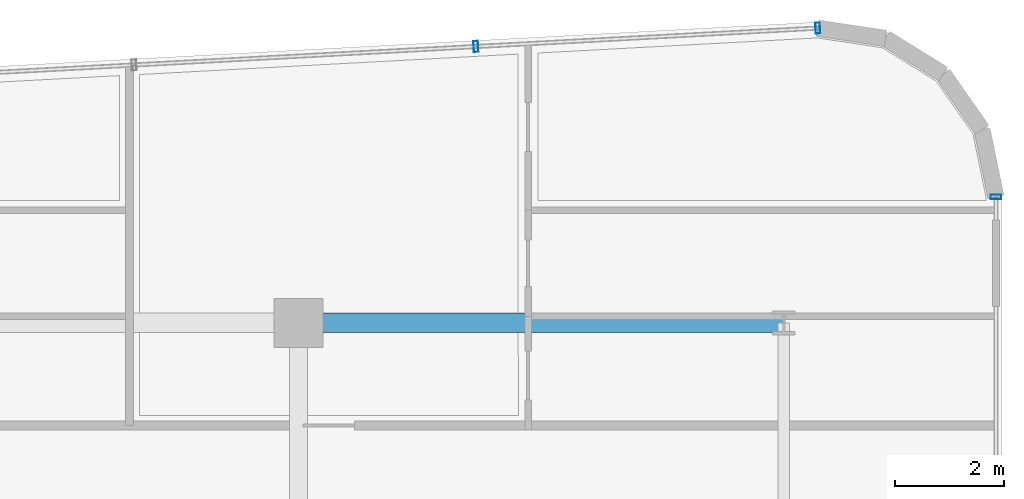
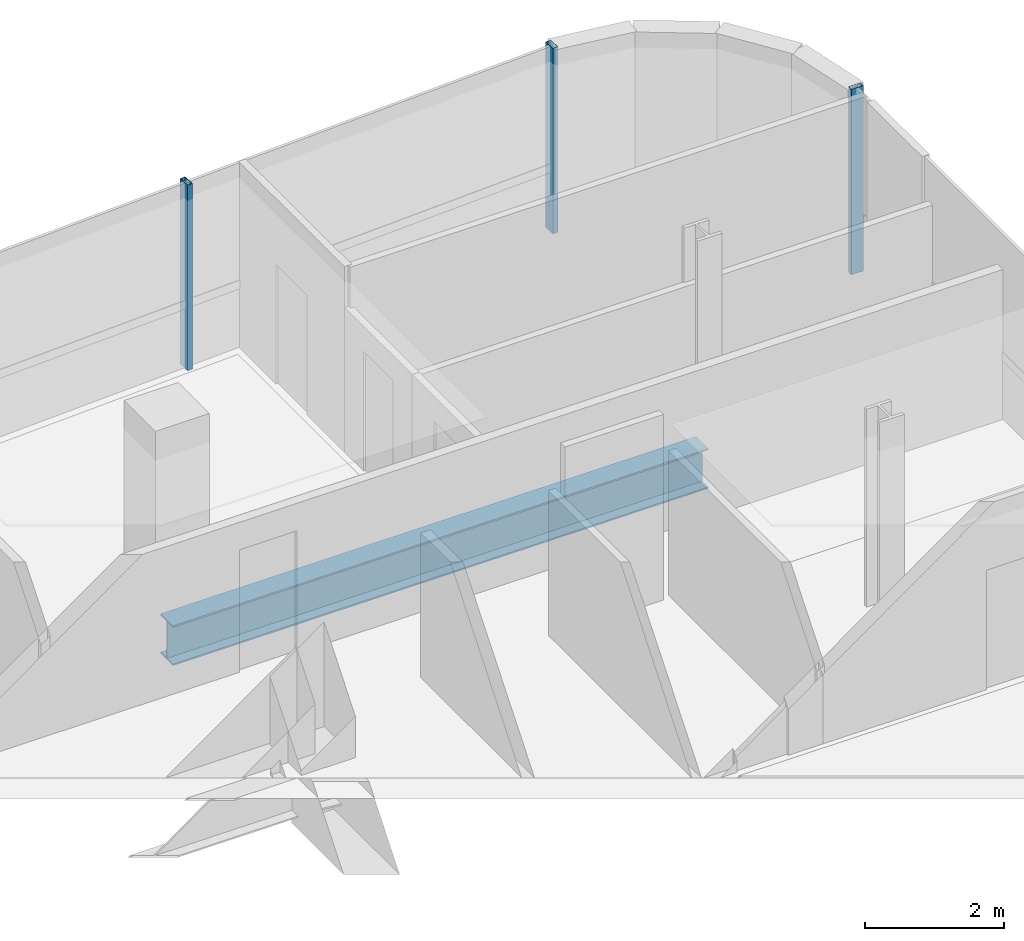
# One storey, part 16 of 24: 3 members, 1 beam, 2 elements without a shape of their own.
"""IFC4 building model written with IfcOpenShell, lengths in metres."""

from ifc_helpers import new_model, si_unit, direction, frame, origin, origin_2d, place, context, subcontext, project, spatial, hollow_rectangle, i_section, extrude, source, transform, mapped, material, material_profile, profile_set, type_object, element, aggregate, save


model = new_model("IFC4")

# Units and contexts
model_context = context("Model", 3, precision=1e-05, world=origin(), true_north=direction((0.0, 1.0)))
body_context = subcontext(model_context, "Body", "Model", "MODEL_VIEW")
ifc_project = project(units=[si_unit("LENGTHUNIT", "METRE"), si_unit("AREAUNIT", "SQUARE_METRE"), si_unit("VOLUMEUNIT", "CUBIC_METRE"), si_unit("PLANEANGLEUNIT", "RADIAN"), si_unit("MASSUNIT", "GRAM", prefix="KILO")], contexts=[model_context])

# Site, building, storey
site_placement = place(None, origin())
site = spatial("IfcSite", under=ifc_project, at=site_placement, CompositionType="ELEMENT")
building_placement = place(site_placement, origin())
building = spatial("IfcBuilding", under=site, at=building_placement, Name="Valdorenza Pilgrim Sanctuary Tower", CompositionType="ELEMENT")
storey_placement = place(building_placement, frame((0.0, 0.0, 230.0)))
storey = spatial("IfcBuildingStorey", under=building, at=storey_placement, Name="L59", CompositionType="ELEMENT", Elevation=230.0)

# Beam
ifc_material_1 = material(Name="Steel ASTM A992 Grade 50", Category="steel")
ifc_material_profile_1 = material_profile(ifc_material_1, i_section(OverallWidth=0.35595703125, OverallDepth=0.700927734375, WebThickness=0.016845703125, FlangeThickness=0.02734375, at=origin_2d()), Name="W27X161")
ifc_profile_set_1 = profile_set([ifc_material_profile_1], Name="Steel ASTM A992 Grade 50")
beam_type = type_object("IfcBeamType", Name="STR-BM-GRD-W27", PredefinedType="BEAM", material=ifc_profile_set_1)
shared_shape_1 = source(origin(), body_context, "Body", "SweptSolid", [
    extrude(i_section(OverallWidth=0.35595703125, OverallDepth=0.700927734375, WebThickness=0.016845703125, FlangeThickness=0.02734375, at=origin_2d()), origin(), (0.0, 0.0, 1.0), 8.89990234375),
])
beam_placement = place(storey_placement, frame((-12.39990234375, 14.800048828125, -0.590576171875), z_axis=(1.0, 0.0, 0.0), x_axis=(0.0, 1.0, 0.0)))
element("IfcBeam", 1, at=beam_placement, inside=storey, type_object=beam_type, Name="L59 Floor Girder UWA-KG2", PredefinedType="BEAM", context=body_context, shape_type="MappedRepresentation", body=[
    mapped(shared_shape_1, transform((0.0, 0.0, 0.0), x_axis=(1.0, 0.0, 0.0), y_axis=(0.0, 1.0, 0.0), z_axis=(0.0, 0.0, 1.0), scale=1.0)),
])

# Curtain wall, members
ifc_material_2 = material(Name="Curtain-wall IGU glazing", Category="glass")
curtain_wall_type = type_object("IfcCurtainWallType", Name="CW-SYS-02", PredefinedType="NOTDEFINED", material=ifc_material_2)
curtain_wall_1_placement = place(storey_placement, origin())
curtain_wall_1 = element("IfcCurtainWall", 2, at=curtain_wall_1_placement, inside=storey, type_object=curtain_wall_type, Name="L59 Curtain Wall CW-L59-1-6", PredefinedType="NOTDEFINED")
ifc_material_3 = material(Name="Anodised aluminium AW-6060", Category="aluminium")
ifc_material_profile_2 = material_profile(ifc_material_3, hollow_rectangle(XDim=0.0849609375, YDim=0.199951171875, WallThickness=0.0048828125, at=origin_2d()), Name="ALU-M 200x85x5")
ifc_profile_set_2 = profile_set([ifc_material_profile_2], Name="Anodised aluminium AW-6060")
member_type = type_object("IfcMemberType", Name="CW-MUL-02", PredefinedType="MULLION", material=ifc_profile_set_2)
shared_shape_2 = source(origin(), body_context, "Body", "SweptSolid", [
    extrude(hollow_rectangle(XDim=0.0849609375, YDim=0.199951171875, WallThickness=0.0048828125, at=origin_2d()), origin(), (0.0, 0.0, 1.0), 3.260009765625),
])
member_1_placement = place(storey_placement, frame((-9.147216796875, 19.869140625, 0.0), z_axis=(0.0, 0.0, 1.0), x_axis=(0.998547034311, 0.053887106711, 0.0)))
member_1 = element("IfcMember", 3, at=member_1_placement, type_object=member_type, Name="CW-L59-1-6 Mullion 4", PredefinedType="MULLION", context=body_context, shape_type="MappedRepresentation", body=[
    mapped(shared_shape_2, transform((0.0, 0.0, 0.0), x_axis=(1.0, 0.0, 0.0), y_axis=(0.0, 1.0, 0.0), z_axis=(0.0, 0.0, 1.0), scale=1.0)),
])
member_2_placement = place(storey_placement, frame((-2.877685546875, 20.20751953125, 0.0), z_axis=(0.0, 0.0, 1.0), x_axis=(0.998547034311, 0.053887106711, 0.0)))
member_2 = element("IfcMember", 4, at=member_2_placement, type_object=member_type, Name="CW-L59-1-6 Mullion 5", PredefinedType="MULLION", context=body_context, shape_type="MappedRepresentation", body=[
    mapped(shared_shape_2, transform((0.0, 0.0, 0.0), x_axis=(1.0, 0.0, 0.0), y_axis=(0.0, 1.0, 0.0), z_axis=(0.0, 0.0, 1.0), scale=1.0)),
])
aggregate(curtain_wall_1, [member_1, member_2])

# Curtain wall, member
curtain_wall_2_placement = place(storey_placement, origin())
curtain_wall_2 = element("IfcCurtainWall", 5, at=curtain_wall_2_placement, inside=storey, type_object=curtain_wall_type, Name="L59 Curtain Wall CW-L59-1-11", PredefinedType="NOTDEFINED")
member_3_placement = place(storey_placement, frame((0.389892578125, 17.111328125, 0.0), z_axis=(0.0, 0.0, 1.0), x_axis=(0.0, -1.0, 0.0)))
member_3 = element("IfcMember", 6, at=member_3_placement, type_object=member_type, Name="CW-L59-1-11 Mullion 1", PredefinedType="MULLION", context=body_context, shape_type="MappedRepresentation", body=[
    mapped(shared_shape_2, transform((0.0, 0.0, 0.0), x_axis=(1.0, 0.0, 0.0), y_axis=(0.0, 1.0, 0.0), z_axis=(0.0, 0.0, 1.0), scale=1.0)),
])
aggregate(curtain_wall_2, [member_3])

save(model, "model.ifc")
